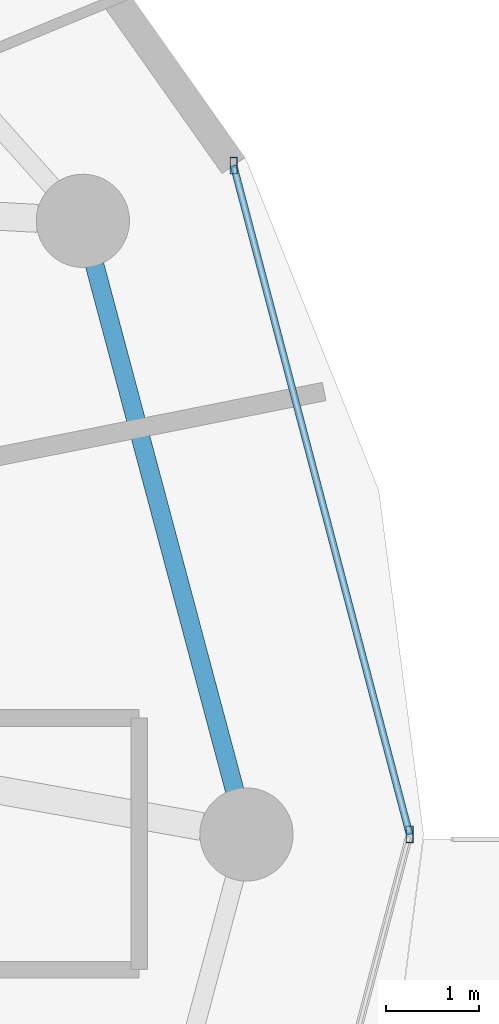
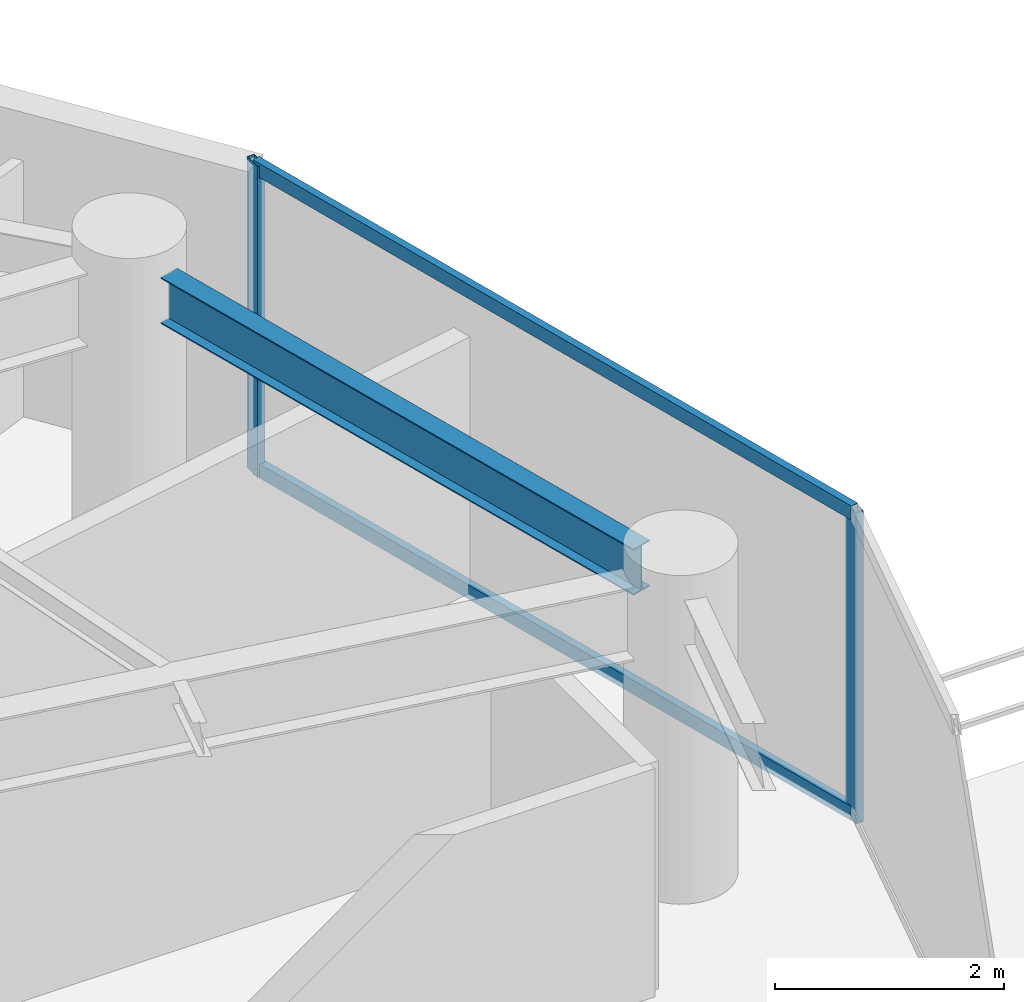
# One storey, part 15 of 30: 4 members, 1 beam, 1 element without a shape of its own.
"""IFC4 building model written with IfcOpenShell, lengths in metres."""

from ifc_helpers import new_model, si_unit, direction, frame, origin, origin_2d, place, context, subcontext, project, spatial, hollow_rectangle, i_section, extrude, material, material_profile, profile_set, type_object, element, aggregate, save


model = new_model("IFC4")

# Units and contexts
model_context = context("Model", 3, precision=1e-05, world=origin(), true_north=direction((0.0, 1.0)))
body_context = subcontext(model_context, "Body", "Model", "MODEL_VIEW")
ifc_project = project(units=[si_unit("LENGTHUNIT", "METRE"), si_unit("AREAUNIT", "SQUARE_METRE"), si_unit("VOLUMEUNIT", "CUBIC_METRE"), si_unit("PLANEANGLEUNIT", "RADIAN"), si_unit("MASSUNIT", "GRAM", prefix="KILO")], contexts=[model_context])

# Site, building, storey
site_placement = place(None, origin())
site = spatial("IfcSite", under=ifc_project, at=site_placement, CompositionType="ELEMENT")
building_placement = place(site_placement, origin())
building = spatial("IfcBuilding", under=site, at=building_placement, Name="Vorneva Point Tower", CompositionType="ELEMENT")
storey_placement = place(building_placement, frame((0.0, 0.0, 157.10009765625)))
storey = spatial("IfcBuildingStorey", under=building, at=storey_placement, Name="L42", CompositionType="ELEMENT", Elevation=157.10009765625)

# Beam
ifc_material_1 = material(Name="Steel S355", Category="steel")
ifc_material_profile_1 = material_profile(ifc_material_1, i_section(OverallWidth=0.199951171875, OverallDepth=0.491943359375, WebThickness=0.0087890625, FlangeThickness=0.011962890625, at=origin_2d()), Name="50B1")
ifc_profile_set_1 = profile_set([ifc_material_profile_1], Name="Steel S355")
beam_type = type_object("IfcBeamType", Name="BM-SPN-50B1", PredefinedType="SPANDREL", material=ifc_profile_set_1)
beam_placement = place(storey_placement, frame((60.925048828125, 26.468505859375, 2.993896484375), z_axis=(-0.257550804648, 0.966264758245, 0.0), x_axis=(-0.966264758245, -0.257550804648, 0.0)))
element("IfcBeam", 1, at=beam_placement, inside=storey, type_object=beam_type, Name="L42 Perimeter Spandrel Ring Beam 01", PredefinedType="SPANDREL", context=body_context, shape_type="SweptSolid", body=[
    extrude(i_section(OverallWidth=0.199951171875, OverallDepth=0.491943359375, WebThickness=0.0087890625, FlangeThickness=0.011962890625, at=origin_2d()), origin(), (0.0, 0.0, 1.0), 5.842041015625),
])

# Curtain wall, members
ifc_material_2 = material(Name="Pale anodised aluminium", Category="aluminium")
curtain_wall_type = type_object("IfcCurtainWallType", Name="CW-RES-SYS", PredefinedType="NOTDEFINED", material=ifc_material_2)
curtain_wall_placement = place(storey_placement, origin())
curtain_wall = element("IfcCurtainWall", 2, at=curtain_wall_placement, inside=storey, type_object=curtain_wall_type, Name="L42 Unitised Curtain Wall CW-L42-R01", PredefinedType="NOTDEFINED")
ifc_material_profile_2 = material_profile(ifc_material_2, hollow_rectangle(XDim=0.074951171875, YDim=0.179931640625, WallThickness=0.00390625, at=origin_2d()), Name="AL-MUL 180x75x4")
ifc_profile_set_2 = profile_set([ifc_material_profile_2], Name="Pale anodised aluminium")
member_type_1 = type_object("IfcMemberType", Name="CW-MUL-180", PredefinedType="MULLION", material=ifc_profile_set_2)
member_1_placement = place(storey_placement, frame((62.800048828125, 26.0, -0.0400390625), z_axis=(0.0, 0.0, 1.0), x_axis=(1.0, 0.0, 0.0)))
member_1 = element("IfcMember", 3, at=member_1_placement, type_object=member_type_1, Name="CW-L42-R01 Mullion 02", PredefinedType="MULLION", context=body_context, shape_type="SweptSolid", body=[
    extrude(hollow_rectangle(XDim=0.074951171875, YDim=0.179931640625, WallThickness=0.00390625, at=origin_2d()), origin(), (0.0, 0.0, 1.0), 3.31005859375),
])
member_2_placement = place(storey_placement, frame((60.912109375, 33.17529296875, -0.0400390625), z_axis=(0.0, 0.0, 1.0), x_axis=(1.0, 0.0, 0.0)))
member_2 = element("IfcMember", 4, at=member_2_placement, type_object=member_type_1, Name="CW-L42-R01 Mullion 03", PredefinedType="MULLION", context=body_context, shape_type="SweptSolid", body=[
    extrude(hollow_rectangle(XDim=0.074951171875, YDim=0.179931640625, WallThickness=0.00390625, at=origin_2d()), origin(), (0.0, 0.0, 1.0), 3.31005859375),
])
ifc_material_profile_3 = material_profile(ifc_material_2, hollow_rectangle(XDim=0.074951171875, YDim=0.14990234375, WallThickness=0.00390625, at=origin_2d()), Name="AL-TRN 150x75x4")
ifc_profile_set_3 = profile_set([ifc_material_profile_3], Name="Pale anodised aluminium")
member_type_2 = type_object("IfcMemberType", Name="CW-TRN-150", PredefinedType="USERDEFINED", material=ifc_profile_set_3)
member_3_placement = place(storey_placement, frame((62.800048828125, 26.0, 0.02001953125), z_axis=(-0.254456046293, 0.967084339913, 0.0), x_axis=(-0.967084339913, -0.254456046293, 0.0)))
member_3 = element("IfcMember", 5, at=member_3_placement, type_object=member_type_2, Name="CW-L42-R01 Transom 02.1", ObjectType="TRANSOM", PredefinedType="USERDEFINED", context=body_context, shape_type="SweptSolid", body=[
    extrude(hollow_rectangle(XDim=0.074951171875, YDim=0.14990234375, WallThickness=0.00390625, at=origin_2d()), origin(), (0.0, 0.0, 1.0), 7.41943359375),
])
member_4_placement = place(storey_placement, frame((62.800048828125, 26.0, 3.219970703125), z_axis=(-0.254456046293, 0.967084339913, 0.0), x_axis=(-0.967084339913, -0.254456046293, 0.0)))
member_4 = element("IfcMember", 6, at=member_4_placement, type_object=member_type_2, Name="CW-L42-R01 Transom 02.2", ObjectType="TRANSOM", PredefinedType="USERDEFINED", context=body_context, shape_type="SweptSolid", body=[
    extrude(hollow_rectangle(XDim=0.074951171875, YDim=0.14990234375, WallThickness=0.00390625, at=origin_2d()), origin(), (0.0, 0.0, 1.0), 7.41943359375),
])
aggregate(curtain_wall, [member_1, member_2, member_3, member_4])

save(model, "model.ifc")
